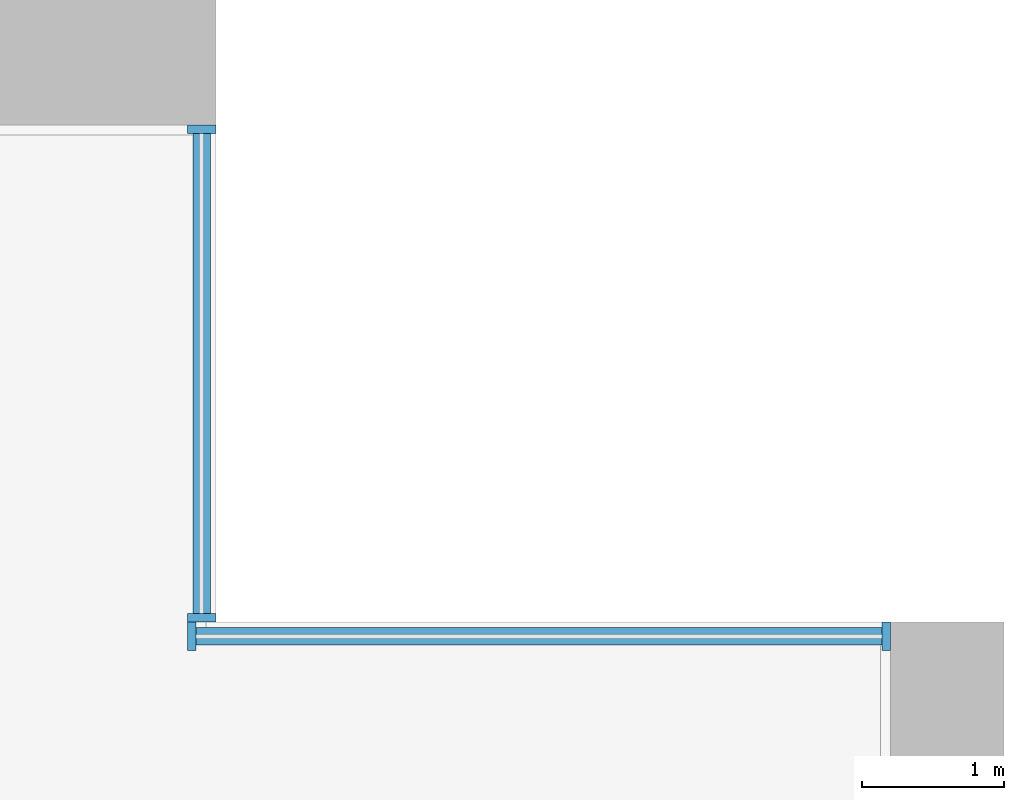
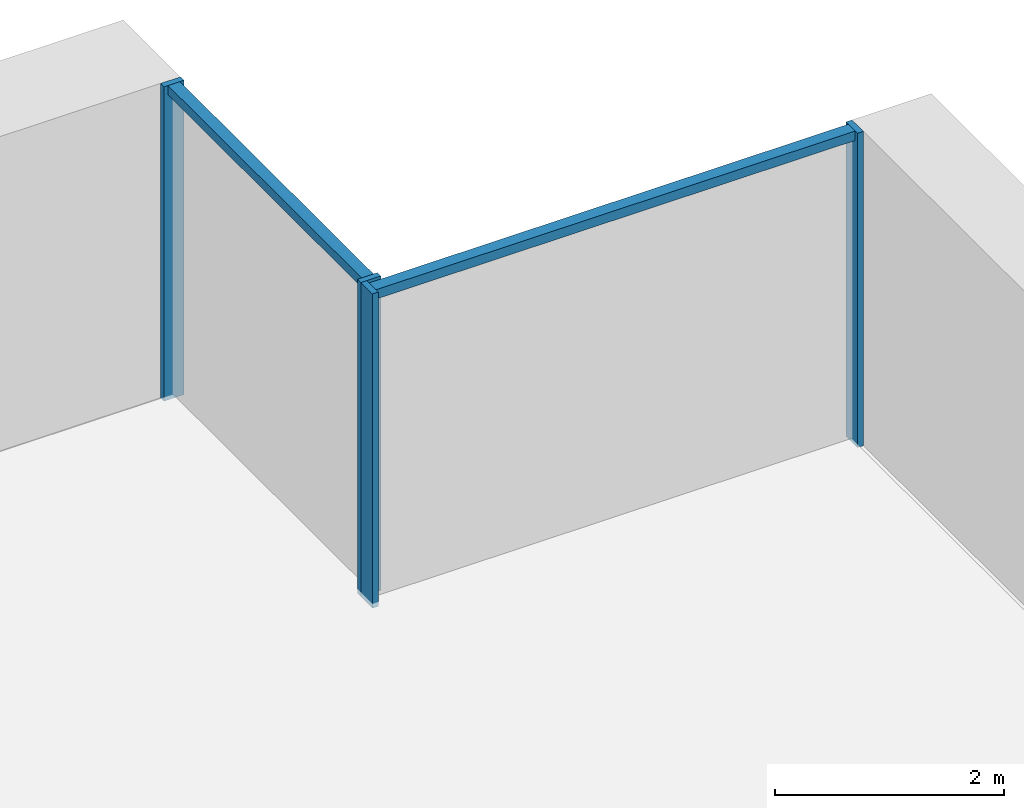
# One storey, part 6 of 18: 6 members, 2 elements without a shape of their own.
"""IFC4 building model written with IfcOpenShell, lengths in metres."""

from ifc_helpers import new_model, si_unit, direction, frame, origin, origin_2d, place, context, subcontext, project, spatial, rectangle, extrude, material, material_profile, profile_set, type_object, element, aggregate, save


model = new_model("IFC4")

# Units and contexts
model_context = context("Model", 3, precision=1e-05, world=origin(), true_north=direction((0.0, 1.0)))
body_context = subcontext(model_context, "Body", "Model", "MODEL_VIEW")
ifc_project = project(units=[si_unit("LENGTHUNIT", "METRE"), si_unit("AREAUNIT", "SQUARE_METRE"), si_unit("VOLUMEUNIT", "CUBIC_METRE"), si_unit("PLANEANGLEUNIT", "RADIAN"), si_unit("MASSUNIT", "GRAM", prefix="KILO")], contexts=[model_context])

# Site, building, storey
site_placement = place(None, origin())
site = spatial("IfcSite", under=ifc_project, at=site_placement, CompositionType="ELEMENT")
building_placement = place(site_placement, origin())
building = spatial("IfcBuilding", under=site, at=building_placement, Name="Calvaro Tower", CompositionType="ELEMENT")
storey_placement = place(building_placement, frame((0.0, 0.0, 56.25)))
storey = spatial("IfcBuildingStorey", under=building, at=storey_placement, Name="L13", CompositionType="ELEMENT", Elevation=56.25)

# Curtain wall, members
ifc_material_1 = material(Name="Anodised aluminium", Category="aluminium")
curtain_wall_type = type_object("IfcCurtainWallType", Name="Office curtain wall, lower zone", PredefinedType="NOTDEFINED", material=ifc_material_1)
curtain_wall_1_placement = place(storey_placement, origin())
curtain_wall_1 = element("IfcCurtainWall", 1, at=curtain_wall_1_placement, inside=storey, type_object=curtain_wall_type, Name="CW1 corner curtain wall", PredefinedType="NOTDEFINED")
ifc_material_2 = material(Name="Anodised aluminium", Category="aluminium")
ifc_material_profile_1 = material_profile(ifc_material_2, rectangle(XDim=0.199951171875, YDim=0.06005859375, at=origin_2d()), Name="Mullion S1 60 x 200")
ifc_profile_set_1 = profile_set([ifc_material_profile_1], Name="Anodised aluminium")
member_type_1 = type_object("IfcMemberType", Name="Mullion S1 60 x 200", PredefinedType="MULLION", material=ifc_profile_set_1)
member_1_placement = place(storey_placement, frame((72.35009765625, 41.530029296875, 0.0), z_axis=(0.0, 0.0, 1.0), x_axis=(-1.0, 0.0, 0.0)))
member_1 = element("IfcMember", 2, at=member_1_placement, type_object=member_type_1, Name="CW1 mullion 1", PredefinedType="MULLION", context=body_context, shape_type="SweptSolid", body=[
    extrude(rectangle(XDim=0.199951171875, YDim=0.06005859375, at=origin_2d()), origin(), (0.0, 0.0, 1.0), 3.35009765625),
])
member_2_placement = place(storey_placement, frame((72.35009765625, 44.969970703125, 0.0), z_axis=(0.0, 0.0, 1.0), x_axis=(-1.0, 0.0, 0.0)))
member_2 = element("IfcMember", 3, at=member_2_placement, type_object=member_type_1, Name="CW1 mullion 2", PredefinedType="MULLION", context=body_context, shape_type="SweptSolid", body=[
    extrude(rectangle(XDim=0.199951171875, YDim=0.06005859375, at=origin_2d()), origin(), (0.0, 0.0, 1.0), 3.35009765625),
])

curtain_wall_2_placement = place(storey_placement, origin())
curtain_wall_2 = element("IfcCurtainWall", 4, at=curtain_wall_2_placement, inside=storey, type_object=curtain_wall_type, Name="CW1 corner curtain wall", PredefinedType="NOTDEFINED")
member_3_placement = place(storey_placement, frame((72.280029296875, 41.39990234375, 0.0), z_axis=(0.0, 0.0, 1.0), x_axis=(0.0, 1.0, 0.0)))
member_3 = element("IfcMember", 5, at=member_3_placement, type_object=member_type_1, Name="CW1 mullion 1", PredefinedType="MULLION", context=body_context, shape_type="SweptSolid", body=[
    extrude(rectangle(XDim=0.199951171875, YDim=0.06005859375, at=origin_2d()), origin(), (0.0, 0.0, 1.0), 3.35009765625),
])
member_4_placement = place(storey_placement, frame((77.169921875, 41.39990234375, 0.0), z_axis=(0.0, 0.0, 1.0), x_axis=(0.0, 1.0, 0.0)))
member_4 = element("IfcMember", 6, at=member_4_placement, type_object=member_type_1, Name="CW1 mullion 2", PredefinedType="MULLION", context=body_context, shape_type="SweptSolid", body=[
    extrude(rectangle(XDim=0.199951171875, YDim=0.06005859375, at=origin_2d()), origin(), (0.0, 0.0, 1.0), 3.35009765625),
])

# Member
ifc_material_3 = material(Name="Anodised aluminium", Category="aluminium")
ifc_material_profile_2 = material_profile(ifc_material_3, rectangle(XDim=0.1201171875, YDim=0.10009765625, at=origin_2d()), Name="Transom S1 100 x 120")
ifc_profile_set_2 = profile_set([ifc_material_profile_2], Name="Anodised aluminium")
member_type_2 = type_object("IfcMemberType", Name="Transom S1 100 x 120", PredefinedType="USERDEFINED", material=ifc_profile_set_2)
member_5_placement = place(storey_placement, frame((72.35009765625, 41.56005859375, 3.300048828125), z_axis=(0.0, 1.0, 0.0), x_axis=(-1.0, 0.0, 0.0)))
member_5 = element("IfcMember", 7, at=member_5_placement, type_object=member_type_2, Name="CW1 transom 1.1", ObjectType="TRANSOM", PredefinedType="USERDEFINED", context=body_context, shape_type="SweptSolid", body=[
    extrude(rectangle(XDim=0.1201171875, YDim=0.10009765625, at=origin_2d()), origin(), (0.0, 0.0, 1.0), 3.3798828125),
])

aggregate(curtain_wall_1, [member_1, member_2, member_5])

member_6_placement = place(storey_placement, frame((72.31005859375, 41.39990234375, 3.300048828125), z_axis=(1.0, 0.0, 0.0), x_axis=(0.0, 1.0, 0.0)))
member_6 = element("IfcMember", 8, at=member_6_placement, type_object=member_type_2, Name="CW1 transom 1.1", ObjectType="TRANSOM", PredefinedType="USERDEFINED", context=body_context, shape_type="SweptSolid", body=[
    extrude(rectangle(XDim=0.1201171875, YDim=0.10009765625, at=origin_2d()), origin(), (0.0, 0.0, 1.0), 4.829833984375),
])

aggregate(curtain_wall_2, [member_3, member_4, member_6])

save(model, "model.ifc")
